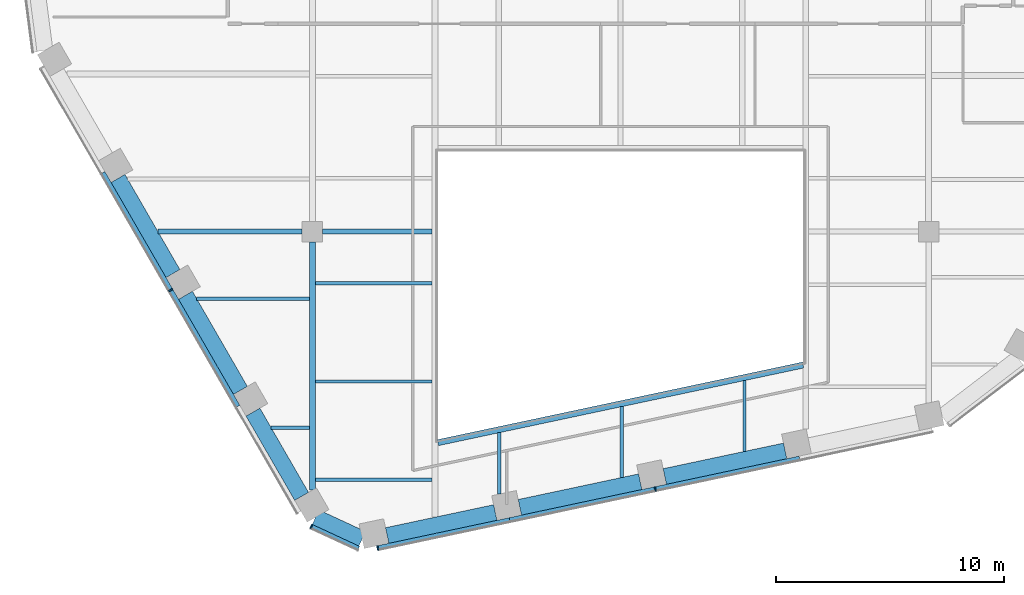
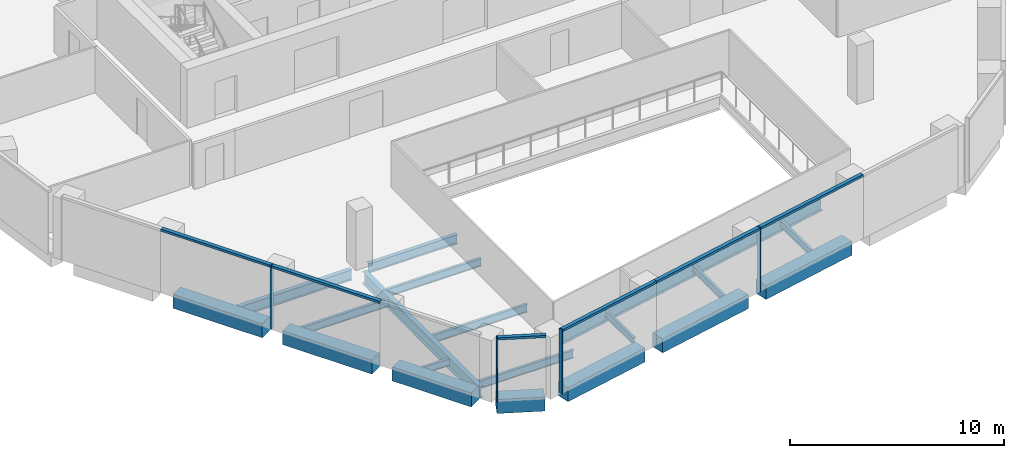
# One storey, part 2 of 16: 19 beams, 10 members, 3 elements without a shape of their own.
"""IFC4 building model written with IfcOpenShell, lengths in metres."""

from ifc_helpers import new_model, si_unit, direction, frame, origin, origin_2d, place, context, subcontext, project, spatial, rectangle, i_section, extrude, material, layer, layer_set, material_profile, profile_set, type_object, element, aggregate, save


model = new_model("IFC4")

# Units and contexts
model_context = context("Model", 3, precision=1e-05, world=origin(), true_north=direction((0.0, 1.0)))
body_context = subcontext(model_context, "Body", "Model", "MODEL_VIEW")
ifc_project = project(units=[si_unit("LENGTHUNIT", "METRE"), si_unit("AREAUNIT", "SQUARE_METRE"), si_unit("VOLUMEUNIT", "CUBIC_METRE"), si_unit("PLANEANGLEUNIT", "RADIAN"), si_unit("MASSUNIT", "GRAM", prefix="KILO")], contexts=[model_context])

# Site, building, storey
site_placement = place(None, origin())
site = spatial("IfcSite", under=ifc_project, at=site_placement, CompositionType="ELEMENT")
building_placement = place(site_placement, origin())
building = spatial("IfcBuilding", under=site, at=building_placement, Name="Isthmus Gate Tower", CompositionType="ELEMENT")
storey_placement = place(building_placement, frame((0.0, 0.0, 252.800048828125)))
storey = spatial("IfcBuildingStorey", under=building, at=storey_placement, Name="L64", CompositionType="ELEMENT", Elevation=252.800048828125)

# Curtain wall, member
ifc_material_1 = material(Name="Aluminium, pale champagne anodised", Category="aluminium")
ifc_layer = layer(ifc_material_1, 0.199951171875)
ifc_layer_set = layer_set([ifc_layer], Name="CW-1 UNITISED CURTAIN WALL 200 DEEP")
curtain_wall_type = type_object("IfcCurtainWallType", Name="CW-1 UNITISED CURTAIN WALL 200 DEEP", PredefinedType="NOTDEFINED", material=ifc_layer_set)
curtain_wall_1_placement = place(storey_placement, origin())
curtain_wall_1 = element("IfcCurtainWall", 1, at=curtain_wall_1_placement, inside=storey, type_object=curtain_wall_type, Name="CW-1 SW L64", PredefinedType="NOTDEFINED")
ifc_material_2 = material(Name="Aluminium, pale champagne anodised", Category="aluminium")
ifc_material_profile_1 = material_profile(ifc_material_2, rectangle(XDim=0.06005859375, YDim=0.199951171875, at=origin_2d()), Name="60x200")
ifc_profile_set_1 = profile_set([ifc_material_profile_1], Name="Aluminium, pale champagne anodised")
member_type_1 = type_object("IfcMemberType", Name="CW-1 MULLION 60 X 200", PredefinedType="MULLION", material=ifc_profile_set_1)
member_1_placement = place(storey_placement, frame((-19.707275390625, -16.066162109375, 0.0), z_axis=(0.0, 0.0, 1.0), x_axis=(0.5, -0.866025403784, 0.0)))
member_1 = element("IfcMember", 2, at=member_1_placement, type_object=member_type_1, Name="CW-1 mullion", PredefinedType="MULLION", context=body_context, shape_type="SweptSolid", body=[
    extrude(rectangle(XDim=0.06005859375, YDim=0.199951171875, at=origin_2d()), origin(), (0.0, 0.0, 1.0), 3.64990234375),
])

curtain_wall_2_placement = place(storey_placement, origin())
curtain_wall_2 = element("IfcCurtainWall", 3, at=curtain_wall_2_placement, inside=storey, type_object=curtain_wall_type, Name="CW-1 SW-S L64", PredefinedType="NOTDEFINED")
member_2_placement = place(storey_placement, frame((-13.54833984375, -26.419677734375, 0.0), z_axis=(0.0, 0.0, 1.0), x_axis=(0.907256261367, -0.420578264073, 0.0)))
member_2 = element("IfcMember", 4, at=member_2_placement, type_object=member_type_1, Name="CW-1 mullion", PredefinedType="MULLION", context=body_context, shape_type="SweptSolid", body=[
    extrude(rectangle(XDim=0.06005859375, YDim=0.199951171875, at=origin_2d()), origin(), (0.0, 0.0, 1.0), 3.64990234375),
])

# Curtain wall, members
curtain_wall_3_placement = place(storey_placement, origin())
curtain_wall_3 = element("IfcCurtainWall", 5, at=curtain_wall_3_placement, inside=storey, type_object=curtain_wall_type, Name="CW-1 S L64", PredefinedType="NOTDEFINED")
member_3_placement = place(storey_placement, frame((-10.6376953125, -27.36328125, 0.0), z_axis=(0.0, 0.0, 1.0), x_axis=(0.978147600734, 0.207911690818, 0.0)))
member_3 = element("IfcMember", 6, at=member_3_placement, type_object=member_type_1, Name="CW-1 mullion", PredefinedType="MULLION", context=body_context, shape_type="SweptSolid", body=[
    extrude(rectangle(XDim=0.06005859375, YDim=0.199951171875, at=origin_2d()), origin(), (0.0, 0.0, 1.0), 3.64990234375),
])
member_4_placement = place(storey_placement, frame((1.5244140625, -24.7783203125, 0.0), z_axis=(0.0, 0.0, 1.0), x_axis=(0.978147600734, 0.207911690818, 0.0)))
member_4 = element("IfcMember", 7, at=member_4_placement, type_object=member_type_1, Name="CW-1 mullion", PredefinedType="MULLION", context=body_context, shape_type="SweptSolid", body=[
    extrude(rectangle(XDim=0.06005859375, YDim=0.199951171875, at=origin_2d()), origin(), (0.0, 0.0, 1.0), 3.64990234375),
])

# Member
ifc_material_3 = material(Name="Aluminium, pale champagne anodised", Category="aluminium")
ifc_material_profile_2 = material_profile(ifc_material_3, rectangle(XDim=0.199951171875, YDim=0.1298828125, at=origin_2d()), Name="200x130")
ifc_profile_set_2 = profile_set([ifc_material_profile_2], Name="Aluminium, pale champagne anodised")
member_type_2 = type_object("IfcMemberType", Name="CW-1 TRANSOM 200 X 130", PredefinedType="USERDEFINED", material=ifc_profile_set_2)
member_5_placement = place(storey_placement, frame((-22.677490234375, -10.92138671875, 3.5849609375), z_axis=(0.500008496284, -0.866020498397, 0.0), x_axis=(0.866020498397, 0.500008496284, 0.0)))
member_5 = element("IfcMember", 8, at=member_5_placement, type_object=member_type_2, Name="CW-1 transom", ObjectType="TRANSOM", PredefinedType="USERDEFINED", context=body_context, shape_type="SweptSolid", body=[
    extrude(rectangle(XDim=0.199951171875, YDim=0.1298828125, at=origin_2d()), origin(), (0.0, 0.0, 1.0), 5.91064453125),
])

member_6_placement = place(storey_placement, frame((-19.692138671875, -16.092041015625, 3.5849609375), z_axis=(0.49998975084, -0.866031321059, 0.0), x_axis=(0.866031321059, 0.49998975084, 0.0)))
member_6 = element("IfcMember", 9, at=member_6_placement, type_object=member_type_2, Name="CW-1 transom", ObjectType="TRANSOM", PredefinedType="USERDEFINED", context=body_context, shape_type="SweptSolid", body=[
    extrude(rectangle(XDim=0.199951171875, YDim=0.1298828125, at=origin_2d()), origin(), (0.0, 0.0, 1.0), 5.8505859375),
])

aggregate(curtain_wall_1, [member_5, member_1, member_6])

member_7_placement = place(storey_placement, frame((-13.521240234375, -26.432373046875, 3.5849609375), z_axis=(0.907246225564, -0.420599912268, 0.0), x_axis=(0.420599912268, 0.907246225564, 0.0)))
member_7 = element("IfcMember", 10, at=member_7_placement, type_object=member_type_2, Name="CW-1 transom", ObjectType="TRANSOM", PredefinedType="USERDEFINED", context=body_context, shape_type="SweptSolid", body=[
    extrude(rectangle(XDim=0.199951171875, YDim=0.1298828125, at=origin_2d()), origin(), (0.0, 0.0, 1.0), 2.258544921875),
])

aggregate(curtain_wall_2, [member_2, member_7])

member_8_placement = place(storey_placement, frame((-10.6083984375, -27.357177734375, 3.5849609375), z_axis=(0.978148511799, 0.207907404549, 0.0), x_axis=(-0.207907404549, 0.978148511799, 0.0)))
member_8 = element("IfcMember", 11, at=member_8_placement, type_object=member_type_2, Name="CW-1 transom", ObjectType="TRANSOM", PredefinedType="USERDEFINED", context=body_context, shape_type="SweptSolid", body=[
    extrude(rectangle(XDim=0.199951171875, YDim=0.1298828125, at=origin_2d()), origin(), (0.0, 0.0, 1.0), 5.8818359375),
])

member_9_placement = place(storey_placement, frame((-4.85498046875, -26.13427734375, 3.5849609375), z_axis=(0.978142886198, 0.207933869729, 0.0), x_axis=(-0.207933869729, 0.978142886198, 0.0)))
member_9 = element("IfcMember", 12, at=member_9_placement, type_object=member_type_2, Name="CW-1 transom", ObjectType="TRANSOM", PredefinedType="USERDEFINED", context=body_context, shape_type="SweptSolid", body=[
    extrude(rectangle(XDim=0.199951171875, YDim=0.1298828125, at=origin_2d()), origin(), (0.0, 0.0, 1.0), 6.49169921875),
])

member_10_placement = place(storey_placement, frame((1.5537109375, -24.77197265625, 3.5849609375), z_axis=(0.978150457162, 0.207898251926, 0.0), x_axis=(-0.207898251926, 0.978150457162, 0.0)))
member_10 = element("IfcMember", 13, at=member_10_placement, type_object=member_type_2, Name="CW-1 transom", ObjectType="TRANSOM", PredefinedType="USERDEFINED", context=body_context, shape_type="SweptSolid", body=[
    extrude(rectangle(XDim=0.199951171875, YDim=0.1298828125, at=origin_2d()), origin(), (0.0, 0.0, 1.0), 6.431884765625),
])

aggregate(curtain_wall_3, [member_3, member_8, member_9, member_4, member_10])

# Beams
ifc_material_4 = material(Name="Concrete f'c 50 MPa", Category="concrete")
ifc_material_profile_3 = material_profile(ifc_material_4, rectangle(XDim=0.699951171875, YDim=0.800048828125, at=origin_2d()), Name="RC 700X800")
ifc_profile_set_3 = profile_set([ifc_material_profile_3], Name="Concrete f'c 50 MPa")
beam_type_1 = type_object("IfcBeamType", Name="RC SPANDREL 700 X 800", PredefinedType="SPANDREL", material=ifc_profile_set_3)
for number, where, z_axis, x_axis, name in (
    (14, (7.21337890625, -23.10888671875, -0.400146484375), (-0.978144348563, -0.207926990492, 0.0), (0.207926990492, -0.978144348563, 0.0), "str-spandrel-L64-12"),
    (15, (0.863525390625, -24.458740234375, -0.400146484375), (-0.978155513612, -0.207874460167, 0.0), (0.207874460167, -0.978155513612, 0.0), "str-spandrel-L64-13"),
):
    element("IfcBeam", number, at=place(storey_placement, frame(where, z_axis=z_axis, x_axis=x_axis)), inside=storey, type_object=beam_type_1, Name=name, PredefinedType="SPANDREL", context=body_context, shape_type="SweptSolid", body=[
        extrude(rectangle(XDim=0.699951171875, YDim=0.800048828125, at=origin_2d()), origin(), (0.0, 0.0, 1.0), 5.391845703125),
    ])
beam_1_placement = place(storey_placement, frame((-5.486572265625, -25.808349609375, -0.400146484375), z_axis=(-0.978141291228, -0.207941372495, 0.0), x_axis=(0.207941372495, -0.978141291228, 0.0)))
element("IfcBeam", 16, at=beam_1_placement, inside=storey, type_object=beam_type_1, Name="str-spandrel-L64-14", PredefinedType="SPANDREL", context=body_context, shape_type="SweptSolid", body=[
    extrude(rectangle(XDim=0.699951171875, YDim=0.800048828125, at=origin_2d()), origin(), (0.0, 0.0, 1.0), 4.842041015625),
])
beam_2_placement = place(storey_placement, frame((-11.31689453125, -26.958251953125, -0.400146484375), z_axis=(-0.907254968276, 0.42058105347, 0.0), x_axis=(-0.42058105347, -0.907254968276, 0.0)))
element("IfcBeam", 17, at=beam_2_placement, inside=storey, type_object=beam_type_1, Name="str-spandrel-L64-15", PredefinedType="SPANDREL", context=body_context, shape_type="SweptSolid", body=[
    extrude(rectangle(XDim=0.699951171875, YDim=0.800048828125, at=origin_2d()), origin(), (0.0, 0.0, 1.0), 2.245849609375),
])
beam_3_placement = place(storey_placement, frame((-13.971923828125, -25.10009765625, -0.400146484375), z_axis=(-0.499996907167, 0.866027189425, 0.0), x_axis=(-0.866027189425, -0.499996907167, 0.0)))
element("IfcBeam", 18, at=beam_3_placement, inside=storey, type_object=beam_type_1, Name="str-spandrel-L64-16", PredefinedType="SPANDREL", context=body_context, shape_type="SweptSolid", body=[
    extrude(rectangle(XDim=0.699951171875, YDim=0.800048828125, at=origin_2d()), origin(), (0.0, 0.0, 1.0), 4.2607421875),
])
for number, where, z_axis, x_axis, name in (
    (19, (-16.652099609375, -20.45751953125, -0.400146484375), (-0.500003616288, 0.866023315909, 0.0), (-0.866023315909, -0.500003616288, 0.0), "str-spandrel-L64-17"),
    (20, (-19.607421875, -15.3388671875, -0.400146484375), (-0.500003616288, 0.866023315909, 0.0), (-0.866023315909, -0.500003616288, 0.0), "str-spandrel-L64-18"),
):
    element("IfcBeam", number, at=place(storey_placement, frame(where, z_axis=z_axis, x_axis=x_axis)), inside=storey, type_object=beam_type_1, Name=name, PredefinedType="SPANDREL", context=body_context, shape_type="SweptSolid", body=[
        extrude(rectangle(XDim=0.699951171875, YDim=0.800048828125, at=origin_2d()), origin(), (0.0, 0.0, 1.0), 4.810546875),
    ])
ifc_material_5 = material(Name="Structural steel ASTM A992 Gr 50", Category="steel")
ifc_material_profile_4 = material_profile(ifc_material_5, i_section(OverallWidth=0.1396484375, OverallDepth=0.4033203125, WebThickness=0.00634765625, FlangeThickness=0.010986328125, at=origin_2d()), Name="W16X31")
ifc_profile_set_4 = profile_set([ifc_material_profile_4], Name="Structural steel ASTM A992 Gr 50")
beam_type_2 = type_object("IfcBeamType", Name="STEEL FLOOR BEAM W16X31", PredefinedType="JOIST", material=ifc_profile_set_4)
beam_4_placement = place(storey_placement, frame((-15.30126953125, -22.097412109375, -0.3515625), z_axis=(1.0, 0.0, 0.0), x_axis=(0.0, 1.0, 0.0)))
element("IfcBeam", 21, at=beam_4_placement, inside=storey, type_object=beam_type_2, Name="str-beam-L64-02-00", PredefinedType="JOIST", context=body_context, shape_type="SweptSolid", body=[
    extrude(i_section(OverallWidth=0.1396484375, OverallDepth=0.4033203125, WebThickness=0.00634765625, FlangeThickness=0.010986328125, at=origin_2d()), origin(), (0.0, 0.0, 1.0), 1.67431640625),
])
beam_5_placement = place(storey_placement, frame((-5.314208984375, -25.005126953125, -0.3515625), z_axis=(0.0, 1.0, 0.0), x_axis=(-1.0, 0.0, 0.0)))
element("IfcBeam", 22, at=beam_5_placement, inside=storey, type_object=beam_type_2, Name="str-beam-L64-06-00", PredefinedType="JOIST", context=body_context, shape_type="SweptSolid", body=[
    extrude(i_section(OverallWidth=0.1396484375, OverallDepth=0.4033203125, WebThickness=0.00634765625, FlangeThickness=0.010986328125, at=origin_2d()), origin(), (0.0, 0.0, 1.0), 2.692138671875),
])
for number, where, z_axis, x_axis, name in (
    (23, (0.05712890625, -24.272216796875, -0.3515625), (0.0, 1.0, 0.0), (-1.0, 0.0, 0.0), "str-beam-L64-06-01"),
    (24, (5.428466796875, -23.13037109375, -0.3515625), (0.0, 1.0, 0.0), (-1.0, 0.0, 0.0), "str-beam-L64-06-02"),
):
    element("IfcBeam", number, at=place(storey_placement, frame(where, z_axis=z_axis, x_axis=x_axis)), inside=storey, type_object=beam_type_2, Name=name, PredefinedType="JOIST", context=body_context, shape_type="SweptSolid", body=[
        extrude(i_section(OverallWidth=0.1396484375, OverallDepth=0.4033203125, WebThickness=0.00634765625, FlangeThickness=0.010986328125, at=origin_2d()), origin(), (0.0, 0.0, 1.0), 3.10107421875),
    ])
ifc_material_6 = material(Name="Structural steel ASTM A992 Gr 50", Category="steel")
ifc_material_profile_5 = material_profile(ifc_material_6, i_section(OverallWidth=0.15234375, OverallDepth=0.45068359375, WebThickness=0.0078125, FlangeThickness=0.010986328125, at=origin_2d()), Name="W18X35")
ifc_profile_set_5 = profile_set([ifc_material_profile_5], Name="Structural steel ASTM A992 Gr 50")
beam_type_3 = type_object("IfcBeamType", Name="STEEL FLOOR BEAM W18X35", PredefinedType="JOIST", material=ifc_profile_set_5)
beam_6_placement = place(storey_placement, frame((-18.56640625, -16.44189453125, -0.37548828125), z_axis=(1.0, 0.0, 0.0), x_axis=(0.0, 1.0, 0.0)))
element("IfcBeam", 25, at=beam_6_placement, inside=storey, type_object=beam_type_3, Name="str-beam-L64-02-01", PredefinedType="JOIST", context=body_context, shape_type="SweptSolid", body=[
    extrude(i_section(OverallWidth=0.15234375, OverallDepth=0.45068359375, WebThickness=0.0078125, FlangeThickness=0.010986328125, at=origin_2d()), origin(), (0.0, 0.0, 1.0), 4.939453125),
])
for number, where, z_axis, x_axis, name in (
    (26, (-13.373046875, -24.3759765625, -0.37548828125), (1.0, 0.0, 0.0), (0.0, 1.0, 0.0), "str-beam-L64-04-00"),
    (27, (-13.373046875, -20.0673828125, -0.37548828125), (1.0, 0.0, 0.0), (0.0, 1.0, 0.0), "str-beam-L64-04-01"),
    (28, (-13.373046875, -15.759033203125, -0.37548828125), (1.0, 0.0, 0.0), (0.0, 1.0, 0.0), "str-beam-L64-04-02"),
):
    element("IfcBeam", number, at=place(storey_placement, frame(where, z_axis=z_axis, x_axis=x_axis)), inside=storey, type_object=beam_type_3, Name=name, PredefinedType="JOIST", context=body_context, shape_type="SweptSolid", body=[
        extrude(i_section(OverallWidth=0.15234375, OverallDepth=0.45068359375, WebThickness=0.0078125, FlangeThickness=0.010986328125, at=origin_2d()), origin(), (0.0, 0.0, 1.0), 5.109619140625),
    ])
ifc_material_7 = material(Name="Structural steel ASTM A992 Gr 50", Category="steel")
ifc_material_profile_6 = material_profile(ifc_material_7, i_section(OverallWidth=0.20947265625, OverallDepth=0.533447265625, WebThickness=0.009521484375, FlangeThickness=0.015869140625, at=origin_2d()), Name="W21X62")
ifc_profile_set_6 = profile_set([ifc_material_profile_6], Name="Structural steel ASTM A992 Gr 50")
beam_type_4 = type_object("IfcBeamType", Name="STEEL GIRDER W21X62", PredefinedType="BEAM", material=ifc_profile_set_6)
beam_7_placement = place(storey_placement, frame((-13.050048828125, -13.5, -0.416748046875), z_axis=(1.0, 0.0, 0.0), x_axis=(0.0, 1.0, 0.0)))
element("IfcBeam", 29, at=beam_7_placement, inside=storey, type_object=beam_type_4, Name="str-girder-L64-02", PredefinedType="BEAM", context=body_context, shape_type="SweptSolid", body=[
    extrude(i_section(OverallWidth=0.20947265625, OverallDepth=0.533447265625, WebThickness=0.009521484375, FlangeThickness=0.015869140625, at=origin_2d()), origin(), (0.0, 0.0, 1.0), 4.78662109375),
])
ifc_material_8 = material(Name="Structural steel ASTM A992 Gr 50", Category="steel")
ifc_material_profile_7 = material_profile(ifc_material_8, i_section(OverallWidth=0.228515625, OverallDepth=0.603271484375, WebThickness=0.010986328125, FlangeThickness=0.014404296875, at=origin_2d()), Name="W24X68")
ifc_profile_set_7 = profile_set([ifc_material_profile_7], Name="Structural steel ASTM A992 Gr 50")
beam_type_5 = type_object("IfcBeamType", Name="STEEL GIRDER W24X68", PredefinedType="BEAM", material=ifc_profile_set_7)
beam_8_placement = place(storey_placement, frame((-20.264892578125, -13.5, -0.45166015625), z_axis=(1.0, 0.0, 0.0), x_axis=(0.0, 1.0, 0.0)))
element("IfcBeam", 30, at=beam_8_placement, inside=storey, type_object=beam_type_5, Name="str-girder-L64-01", PredefinedType="BEAM", context=body_context, shape_type="SweptSolid", body=[
    extrude(i_section(OverallWidth=0.228515625, OverallDepth=0.603271484375, WebThickness=0.010986328125, FlangeThickness=0.014404296875, at=origin_2d()), origin(), (0.0, 0.0, 1.0), 6.31494140625),
])
ifc_material_9 = material(Name="Structural steel ASTM A992 Gr 50", Category="steel")
ifc_material_profile_8 = material_profile(ifc_material_9, i_section(OverallWidth=0.25390625, OverallDepth=0.679443359375, WebThickness=0.010986328125, FlangeThickness=0.015869140625, at=origin_2d()), Name="W27X84")
ifc_profile_set_8 = profile_set([ifc_material_profile_8], Name="Structural steel ASTM A992 Gr 50")
beam_type_6 = type_object("IfcBeamType", Name="STEEL GIRDER W27X84", PredefinedType="BEAM", material=ifc_profile_set_8)
beam_9_placement = place(storey_placement, frame((-13.5, -24.82763671875, -0.48974609375), z_axis=(0.0, 1.0, 0.0), x_axis=(-1.0, 0.0, 0.0)))
element("IfcBeam", 31, at=beam_9_placement, inside=storey, type_object=beam_type_6, Name="str-girder-L64-05", PredefinedType="BEAM", context=body_context, shape_type="SweptSolid", body=[
    extrude(i_section(OverallWidth=0.25390625, OverallDepth=0.679443359375, WebThickness=0.010986328125, FlangeThickness=0.015869140625, at=origin_2d()), origin(), (0.0, 0.0, 1.0), 10.877685546875),
])
ifc_material_10 = material(Name="Structural steel ASTM A992 Gr 50", Category="steel")
ifc_material_profile_9 = material_profile(ifc_material_10, i_section(OverallWidth=0.2666015625, OverallDepth=0.7587890625, WebThickness=0.014404296875, FlangeThickness=0.01904296875, at=origin_2d()), Name="W30X108")
ifc_profile_set_9 = profile_set([ifc_material_profile_9], Name="Structural steel ASTM A992 Gr 50")
beam_type_7 = type_object("IfcBeamType", Name="STEEL TRIMMER W30X108", PredefinedType="BEAM", material=ifc_profile_set_9)
beam_10_placement = place(storey_placement, frame((-8.0, -22.747314453125, -0.529541015625), z_axis=(0.978147924985, 0.20791016533, 0.0), x_axis=(-0.20791016533, 0.978147924985, 0.0)))
element("IfcBeam", 32, at=beam_10_placement, inside=storey, type_object=beam_type_7, Name="str-trimmer-L64-03", PredefinedType="BEAM", context=body_context, shape_type="SweptSolid", body=[
    extrude(i_section(OverallWidth=0.2666015625, OverallDepth=0.7587890625, WebThickness=0.014404296875, FlangeThickness=0.01904296875, at=origin_2d()), origin(), (0.0, 0.0, 1.0), 16.357421875),
])

save(model, "model.ifc")
